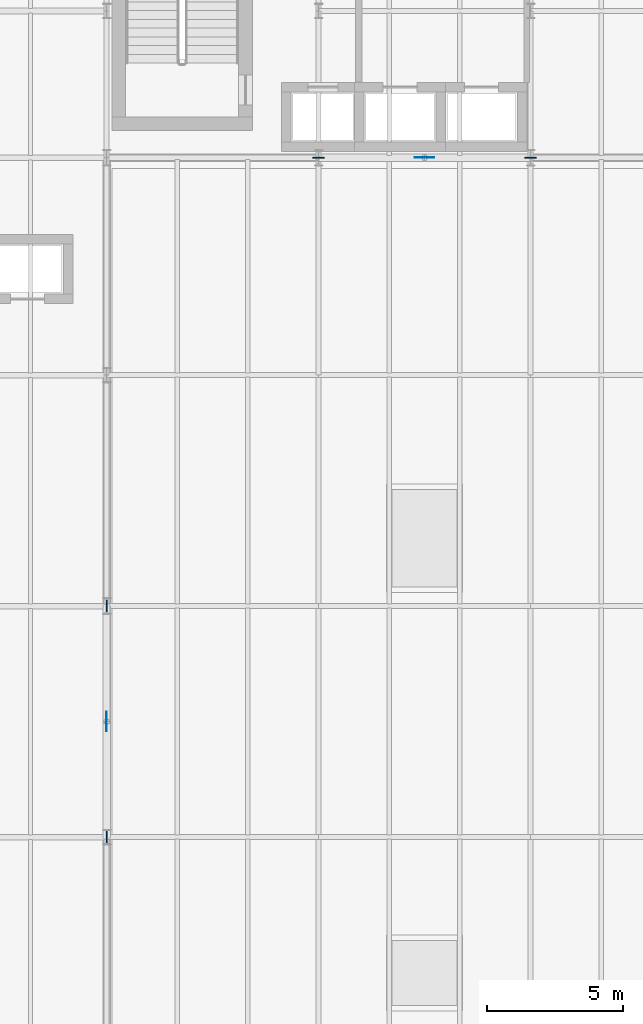
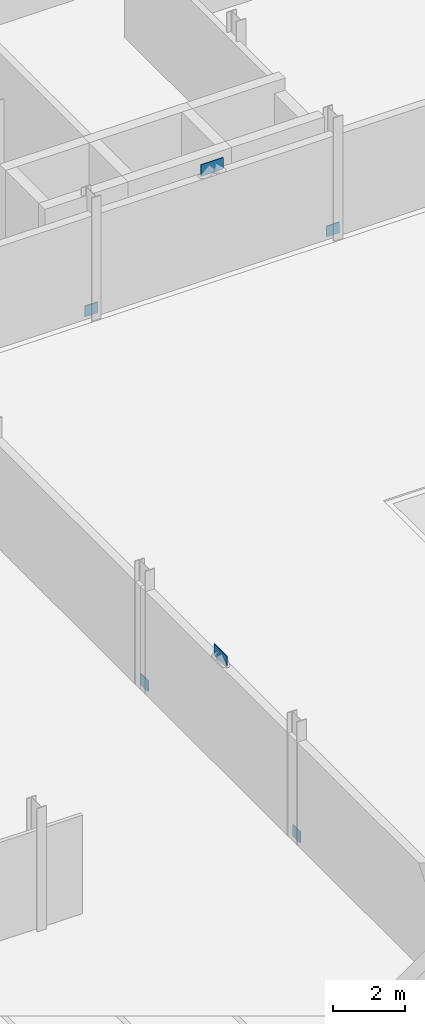
# One storey, part 38 of 58: 6 plates.
"""IFC4 building model written with IfcOpenShell, lengths in metres."""

import ifcopenshell
import ifcopenshell.guid

model = None  # the IFC model being written
_history = None  # IfcOwnerHistory: only IFC2X3 demands one
_inside = {}  # id of a spatial element -> (the spatial element, [elements in it])
_under = {}  # id of a project, library or spatial element -> (it, [spatial elements below it])
_declared = {}  # id of a project -> (the project, [libraries it declares])
_typed = {}  # id of a type object -> (the type object, [elements of that type])
_made_of = {}  # id of a material, layer set ... -> (it, [elements and type objects made of it])


def new_model(schema):
    """Start an empty IFC model of exactly this schema.

    Asked for "IFC4X3", IfcOpenShell would pick the latest addendum, in which some entities
    have other attributes; the version numbers below select the first issue.
    IFC2X3 requires an IfcOwnerHistory on every rooted entity: one is made here for all.
    """
    global model, _history
    if schema == "IFC4X3":
        model = ifcopenshell.file(schema_version=(4, 3, 0, 0))
    else:
        model = ifcopenshell.file(schema=schema)
    _inside.clear()
    _under.clear()
    _declared.clear()
    _typed.clear()
    _made_of.clear()
    _history = None
    if model.schema == "IFC2X3":
        org = make("IfcOrganization", Name="unknown")
        user = make(
            "IfcPersonAndOrganization",
            ThePerson=make("IfcPerson", FamilyName="unknown"),
            TheOrganization=org,
        )
        app = make(
            "IfcApplication",
            ApplicationDeveloper=org,
            Version="unknown",
            ApplicationFullName="unknown",
            ApplicationIdentifier="unknown",
        )
        _history = make(
            "IfcOwnerHistory",
            OwningUser=user,
            OwningApplication=app,
            ChangeAction="ADDED",
            CreationDate=0,
        )
    return model


def make(cls, **values):
    """One entity of the class cls with the attributes given. An attribute that is None is left unset."""
    return model.create_entity(
        cls, **{name: value for name, value in values.items() if value is not None}
    )


def rooted(cls, **values):
    """An entity with a GlobalId (a new one), such as an element, a storey or a relation."""
    return make(cls, GlobalId=ifcopenshell.guid.new(), OwnerHistory=_history, **values)


def si_unit(unit_type, name, prefix=None):
    """IfcSIUnit, for example si_unit("LENGTHUNIT", "METRE", prefix="MILLI")."""
    return make("IfcSIUnit", UnitType=unit_type, Prefix=prefix, Name=name)


def assignment(units):
    """IfcUnitAssignment: the units of a project."""
    return None if units is None else make("IfcUnitAssignment", Units=units)


def point(xyz):
    """IfcCartesianPoint."""
    return None if xyz is None else make("IfcCartesianPoint", Coordinates=xyz)


def direction(xyz):
    """IfcDirection."""
    return None if xyz is None else make("IfcDirection", DirectionRatios=xyz)


def frame(location, z_axis=None, x_axis=None):
    """IfcAxis2Placement3D, a coordinate frame: its origin and axes. An axis left out is left unset."""
    return make(
        "IfcAxis2Placement3D",
        Location=point(location),
        Axis=direction(z_axis),
        RefDirection=direction(x_axis),
    )


def frame_2d(location, x_axis=None):
    """IfcAxis2Placement2D, a coordinate frame in the plane: its origin and x axis."""
    return make(
        "IfcAxis2Placement2D", Location=point(location), RefDirection=direction(x_axis)
    )


def origin():
    """The frame at (0, 0, 0) with its axes left unset."""
    return frame((0.0, 0.0, 0.0))


def origin_2d():
    """The frame at (0, 0) in the plane with its x axis left unset."""
    return frame_2d((0.0, 0.0))


def place(relative_to, where):
    """IfcLocalPlacement: puts the frame where relative to a parent placement (None: the world)."""
    return make(
        "IfcLocalPlacement", PlacementRelTo=relative_to, RelativePlacement=where
    )


def context(
    kind, dimensions, precision=None, world=None, true_north=None, identifier=None
):
    """IfcGeometricRepresentationContext, for example the 3D "Model" context."""
    return make(
        "IfcGeometricRepresentationContext",
        ContextIdentifier=identifier,
        ContextType=kind,
        CoordinateSpaceDimension=dimensions,
        Precision=precision,
        WorldCoordinateSystem=world,
        TrueNorth=true_north,
    )


def subcontext(parent, identifier, kind, view, scale=None):
    """IfcGeometricRepresentationSubContext, for example "Body" below "Model"."""
    return make(
        "IfcGeometricRepresentationSubContext",
        ContextIdentifier=identifier,
        ContextType=kind,
        ParentContext=parent,
        TargetScale=scale,
        TargetView=view,
    )


def project(units=None, contexts=None):
    """IfcProject with its units and contexts."""
    return rooted(
        "IfcProject",
        Name="project",
        RepresentationContexts=contexts,
        UnitsInContext=assignment(units),
    )


def spatial(cls, under=None, at=None, **own):
    """A site, building, storey or space (cls), placed at a placement, below another one or the project."""
    s = rooted(cls, ObjectPlacement=at, **own)
    if under is not None:
        _under.setdefault(under.id(), (under, []))[1].append(s)
    return s


def profile(cls, at=None, kind="AREA", **sizes):
    """A parametric profile (cls). Its sizes go by their IFC names, for example OverallWidth=200.0."""
    return make(cls, ProfileType=kind, Position=at, **sizes)


def rectangle(**sizes):
    """IfcRectangleProfileDef."""
    return profile("IfcRectangleProfileDef", **sizes)


def extrude(swept, where, along, depth):
    """IfcExtrudedAreaSolid: the profile swept, set in the frame where, extruded along a direction by depth."""
    return make(
        "IfcExtrudedAreaSolid",
        SweptArea=swept,
        Position=where,
        ExtrudedDirection=direction(along),
        Depth=depth,
    )


def shape(context_of_items, identifier, shape_type, items):
    """IfcShapeRepresentation: the items that make up one representation, for example the "Body"."""
    return make(
        "IfcShapeRepresentation",
        ContextOfItems=context_of_items,
        RepresentationIdentifier=identifier,
        RepresentationType=shape_type,
        Items=items,
    )


def material(Name=None, Category=None):
    """IfcMaterial."""
    return make("IfcMaterial", Name=Name, Category=Category)


def layer(
    of_material, thickness, ventilated=None, Name=None, Category=None, Priority=None
):
    """IfcMaterialLayer: one layer of a wall or slab, of a material (None: an air gap)."""
    return make(
        "IfcMaterialLayer",
        Material=of_material,
        LayerThickness=thickness,
        IsVentilated=ventilated,
        Name=Name,
        Category=Category,
        Priority=Priority,
    )


def layer_set(layers, Name=None):
    """IfcMaterialLayerSet."""
    return make("IfcMaterialLayerSet", MaterialLayers=layers, LayerSetName=Name)


def made_of(thing, what):
    """Note that an element or type object is made of a material, layer set ...; save() writes the relation."""
    if what is not None:
        _made_of.setdefault(what.id(), (what, []))[1].append(thing)
    return thing


def type_object(cls, material=None, **own):
    """A type object (cls), such as IfcWallType, which elements share."""
    return made_of(rooted(cls, **own), material)


def element(
    cls,
    number,
    at=None,
    inside=None,
    cuts=None,
    type_object=None,
    material=None,
    context=None,
    identifier="Body",
    shape_type=None,
    held_by="IfcProductDefinitionShape",
    body=None,
    shapes=None,
    **own,
):
    """One element of the class cls, such as IfcWall. Its Tag is "e" and its number.

    at: its placement. inside: the storey or other place that contains it. cuts: it is an
    opening in that element (IfcRelVoidsElement). A single representation is given by context,
    identifier, shape_type and body (its items); several are given by shapes. held_by: the class
    of the entity that holds the representations. save() writes the other relations.
    """
    e = rooted(cls, Tag="e%d" % number, ObjectPlacement=at, **own)
    if body is not None:
        shapes = [shape(context, identifier, shape_type, body)]
    if shapes is not None:
        e.Representation = make(held_by, Representations=shapes)
    if inside is not None:
        _inside.setdefault(inside.id(), (inside, []))[1].append(e)
    if cuts is not None:
        rooted(
            "IfcRelVoidsElement", RelatingBuildingElement=cuts, RelatedOpeningElement=e
        )
    if type_object is not None:
        _typed.setdefault(type_object.id(), (type_object, []))[1].append(e)
    return made_of(e, material)


def aggregate(whole, parts):
    """IfcRelAggregates: a whole, such as a stair, and the parts it consists of."""
    return rooted("IfcRelAggregates", RelatingObject=whole, RelatedObjects=parts)


def save(model, path):
    """Write the relations noted so far, then the file.

    IfcRelAggregates (storeys below a building ...), IfcRelContainedInSpatialStructure (elements
    in a storey), IfcRelDefinesByType, IfcRelAssociatesMaterial and IfcRelDeclares: one each for
    every whole, place, type object, material and project.
    """
    for whole, parts in _under.values():
        aggregate(whole, parts)
    for where, things in _inside.values():
        rooted(
            "IfcRelContainedInSpatialStructure",
            RelatedElements=things,
            RelatingStructure=where,
        )
    for kind, things in _typed.values():
        rooted("IfcRelDefinesByType", RelatedObjects=things, RelatingType=kind)
    for what, things in _made_of.values():
        rooted("IfcRelAssociatesMaterial", RelatedObjects=things, RelatingMaterial=what)
    for by, libraries in _declared.values():
        rooted("IfcRelDeclares", RelatingContext=by, RelatedDefinitions=libraries)
    model.write(path)


model = new_model("IFC4")

# Units and contexts
model_context = context("Model", 3, precision=1e-05, world=origin(), true_north=direction((0.0, 1.0)))
body_context = subcontext(model_context, "Body", "Model", "MODEL_VIEW")
ifc_project = project(units=[si_unit("LENGTHUNIT", "METRE"), si_unit("AREAUNIT", "SQUARE_METRE"), si_unit("VOLUMEUNIT", "CUBIC_METRE"), si_unit("PLANEANGLEUNIT", "RADIAN"), si_unit("MASSUNIT", "GRAM", prefix="KILO")], contexts=[model_context])

# Site, building, storey
site_placement = place(None, origin())
site = spatial("IfcSite", under=ifc_project, at=site_placement, CompositionType="ELEMENT")
building_placement = place(site_placement, origin())
building = spatial("IfcBuilding", under=site, at=building_placement, Name="Sefraquen Railside Congress Hotel", CompositionType="ELEMENT")
storey_placement = place(building_placement, frame((0.0, 0.0, 16.199951171875)))
storey = spatial("IfcBuildingStorey", under=building, at=storey_placement, Name="L03", CompositionType="ELEMENT", Elevation=16.199951171875)

# Plates
ifc_material = material(Name="Steel S355J2", Category="steel")
ifc_layer_1 = layer(ifc_material, 0.02001953125)
ifc_layer_set_1 = layer_set([ifc_layer_1], Name="Steel S355J2")
plate_type_1 = type_object("IfcPlateType", Name="TP-GUS-01", PredefinedType="SHEET", material=ifc_layer_set_1)
for number, where, z_axis, x_axis, name in (
    (1, (36.89990234375, 96.0, 3.47021484375), (0.0, 0.0, 1.0), (1.0, 0.0, 0.0), "Chevron braced-frame apex gusset plate BF1 L03"),
    (2, (25.199951171875, 75.25, 3.47021484375), (0.0, 0.0, 1.0), (0.0, 1.0, 0.0), "Chevron braced-frame apex gusset plate BF2 L03"),
):
    element("IfcPlate", number, at=place(storey_placement, frame(where, z_axis=z_axis, x_axis=x_axis)), inside=storey, type_object=plate_type_1, Name=name, PredefinedType="SHEET", context=body_context, shape_type="SweptSolid", body=[
        extrude(rectangle(XDim=0.719970703125, YDim=0.02001953125, at=origin_2d()), origin(), (0.0, 0.0, 1.0), 0.39990234375),
    ])
ifc_layer_2 = layer(ifc_material, 0.0400390625)
ifc_layer_set_2 = layer_set([ifc_layer_2], Name="Steel S355J2")
plate_type_2 = type_object("IfcPlateType", Name="TP-GUS-02", PredefinedType="SHEET", material=ifc_layer_set_2)
for number, where, z_axis, x_axis, name in (
    (3, (33.0, 96.0, 0.0), (0.0, 0.0, 1.0), (1.0, 0.0, 0.0), "Chevron braced-frame base gusset plate BF1-L L03"),
    (4, (40.800048828125, 96.0, 0.0), (0.0, 0.0, 1.0), (1.0, 0.0, 0.0), "Chevron braced-frame base gusset plate BF1-R L03"),
    (5, (25.199951171875, 71.0, 0.0), (0.0, 0.0, 1.0), (0.0, 1.0, 0.0), "Chevron braced-frame base gusset plate BF2-L L03"),
    (6, (25.199951171875, 79.5, 0.0), (0.0, 0.0, 1.0), (0.0, 1.0, 0.0), "Chevron braced-frame base gusset plate BF2-R L03"),
):
    element("IfcPlate", number, at=place(storey_placement, frame(where, z_axis=z_axis, x_axis=x_axis)), inside=storey, type_object=plate_type_2, Name=name, PredefinedType="SHEET", context=body_context, shape_type="SweptSolid", body=[
        extrude(rectangle(XDim=0.419921875, YDim=0.0400390625, at=origin_2d()), origin(), (0.0, 0.0, 1.0), 0.360107421875),
    ])

save(model, "model.ifc")
